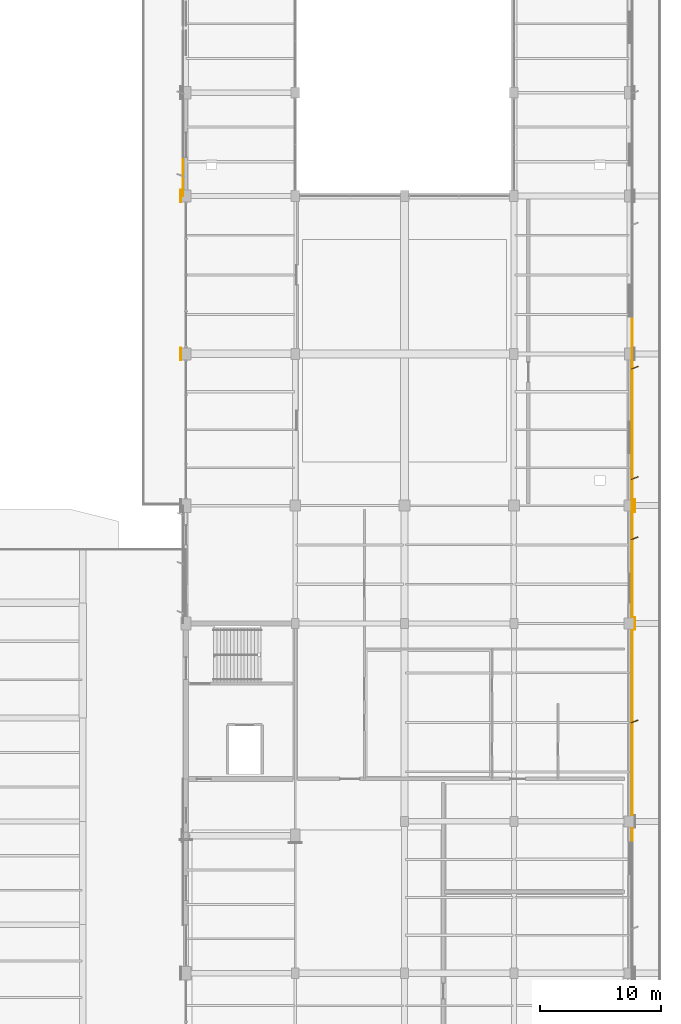
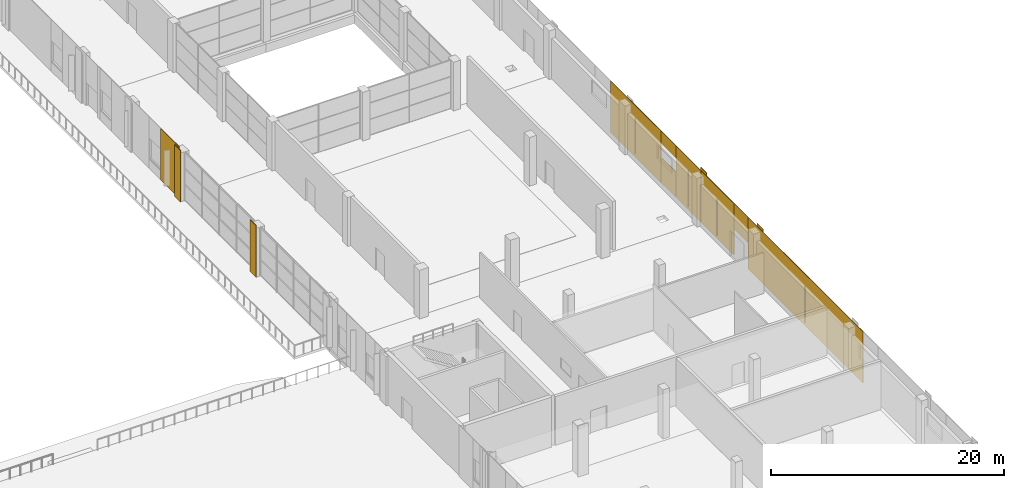
# One storey, part 86 of 90: 16 coverings.
"""IFC4 building model written with IfcOpenShell, lengths in metres."""

from ifc_helpers import new_model, si_unit, direction, frame, origin, origin_2d, place, context, subcontext, project, spatial, rectangle, extrude, material, layer, layer_set, type_object, element, save


model = new_model("IFC4")

# Units and contexts
model_context = context("Model", 3, precision=1e-05, world=origin(), true_north=direction((0.0, 1.0)))
body_context = subcontext(model_context, "Body", "Model", "MODEL_VIEW")
ifc_project = project(units=[si_unit("LENGTHUNIT", "METRE"), si_unit("AREAUNIT", "SQUARE_METRE"), si_unit("VOLUMEUNIT", "CUBIC_METRE"), si_unit("PLANEANGLEUNIT", "RADIAN"), si_unit("MASSUNIT", "GRAM", prefix="KILO")], contexts=[model_context])

# Site, building, storey
site_placement = place(None, origin())
site = spatial("IfcSite", under=ifc_project, at=site_placement, CompositionType="ELEMENT")
building_placement = place(site_placement, origin())
building = spatial("IfcBuilding", under=site, at=building_placement, Name="Solvikara Media Centre", CompositionType="ELEMENT")
storey_placement = place(building_placement, origin())
storey = spatial("IfcBuildingStorey", under=building, at=storey_placement, Name="L00", CompositionType="ELEMENT", Elevation=0.0)

# Coverings
ifc_material = material(Name="GFRC white mineral architectural rainscreen panel")
ifc_layer = layer(ifc_material, 0.050048828125)
ifc_layer_set = layer_set([ifc_layer], Name="GFRC white mineral architectural rainscreen panel")
covering_type = type_object("IfcCoveringType", Name="CV-04", PredefinedType="CLADDING", material=ifc_layer_set)
for number, where, z_axis, x_axis, name in (
    (1, (164.47509765625, 36.800048828125, 0.0), (0.0, 0.0, 1.0), (0.0, 1.0, 0.0), "PIL-L00-232"),
    (2, (164.47509765625, 46.5, 0.0), (0.0, 0.0, 1.0), (0.0, 1.0, 0.0), "PIL-L00-236"),
    (3, (127.074951171875, 59.0, 0.0), (0.0, 0.0, 1.0), (0.0, -1.0, 0.0), "PIL-L00-267"),
    (4, (127.074951171875, 72.0, 0.0), (0.0, 0.0, 1.0), (0.0, -1.0, 0.0), "PIL-L00-269"),
):
    element("IfcCovering", number, at=place(storey_placement, frame(where, z_axis=z_axis, x_axis=x_axis)), inside=storey, type_object=covering_type, Name=name, PredefinedType="CLADDING", context=body_context, shape_type="SweptSolid", body=[
        extrude(rectangle(XDim=1.0400390625, YDim=0.050048828125, at=origin_2d()), origin(), (0.0, 0.0, 1.0), 5.39990234375),
    ])
covering_1_placement = place(storey_placement, frame((164.2451171875, 28.617919921875, 0.0), z_axis=(0.0, 0.0, 1.0), x_axis=(0.0, 1.0, 0.0)))
element("IfcCovering", 5, at=covering_1_placement, inside=storey, type_object=covering_type, Name="L00-V5E-CV-F05", PredefinedType="CLADDING", context=body_context, shape_type="SweptSolid", body=[
    extrude(rectangle(XDim=19.762939453125, YDim=0.050048828125, at=origin_2d()), origin(), (0.0, 0.0, 1.0), 5.39990234375),
])
covering_2_placement = place(storey_placement, frame((164.43505859375, 28.72802734375, 0.35009765625), z_axis=(0.0, 0.0, 1.0), x_axis=(0.930749810713, 0.3656566557, 0.0)))
element("IfcCovering", 6, at=covering_2_placement, inside=storey, type_object=covering_type, Name="L00-V5E-FIN-05", PredefinedType="CLADDING", context=body_context, shape_type="SweptSolid", body=[
    extrude(rectangle(XDim=0.60205078125, YDim=0.050048828125, at=origin_2d()), origin(), (0.0, 0.0, 1.0), 3.800048828125),
])
covering_3_placement = place(storey_placement, frame((164.2451171875, 39.699951171875, 2.75), z_axis=(0.0, 0.0, 1.0), x_axis=(0.0, 1.0, 0.0)))
element("IfcCovering", 7, at=covering_3_placement, inside=storey, type_object=covering_type, Name="L00-V5E-CV-D06", PredefinedType="CLADDING", context=body_context, shape_type="SweptSolid", body=[
    extrude(rectangle(XDim=2.39990234375, YDim=0.050048828125, at=origin_2d()), origin(), (0.0, 0.0, 1.0), 2.64990234375),
])
covering_4_placement = place(storey_placement, frame((164.2451171875, 43.699951171875, 0.0), z_axis=(0.0, 0.0, 1.0), x_axis=(0.0, 1.0, 0.0)))
element("IfcCovering", 8, at=covering_4_placement, inside=storey, type_object=covering_type, Name="L00-V5E-CV-F07", PredefinedType="CLADDING", context=body_context, shape_type="SweptSolid", body=[
    extrude(rectangle(XDim=5.60009765625, YDim=0.050048828125, at=origin_2d()), origin(), (0.0, 0.0, 1.0), 5.39990234375),
])
covering_5_placement = place(storey_placement, frame((164.43505859375, 43.81005859375, 0.35009765625), z_axis=(0.0, 0.0, 1.0), x_axis=(0.930749810713, 0.3656566557, 0.0)))
element("IfcCovering", 9, at=covering_5_placement, inside=storey, type_object=covering_type, Name="L00-V5E-FIN-07", PredefinedType="CLADDING", context=body_context, shape_type="SweptSolid", body=[
    extrude(rectangle(XDim=0.60205078125, YDim=0.050048828125, at=origin_2d()), origin(), (0.0, 0.0, 1.0), 3.800048828125),
])
covering_6_placement = place(storey_placement, frame((164.2451171875, 48.6630859375, 0.0), z_axis=(0.0, 0.0, 1.0), x_axis=(0.0, 1.0, 0.0)))
element("IfcCovering", 10, at=covering_6_placement, inside=storey, type_object=covering_type, Name="L00-V2E-CV-F01", PredefinedType="CLADDING", context=body_context, shape_type="SweptSolid", body=[
    extrude(rectangle(XDim=4.324951171875, YDim=0.050048828125, at=origin_2d()), origin(), (0.0, 0.0, 1.0), 5.39990234375),
])
covering_7_placement = place(storey_placement, frame((164.449951171875, 48.77294921875, 0.35009765625), z_axis=(0.0, 0.0, 1.0), x_axis=(0.930749810713, 0.3656566557, 0.0)))
element("IfcCovering", 11, at=covering_7_placement, inside=storey, type_object=covering_type, Name="L00-V2E-FIN-01", PredefinedType="CLADDING", context=body_context, shape_type="SweptSolid", body=[
    extrude(rectangle(XDim=0.60205078125, YDim=0.050048828125, at=origin_2d()), origin(), (0.0, 0.0, 1.0), 3.739990234375),
])
covering_8_placement = place(storey_placement, frame((164.2451171875, 52.125, 0.0), z_axis=(0.0, 0.0, 1.0), x_axis=(0.0, 1.0, 0.0)))
element("IfcCovering", 12, at=covering_8_placement, inside=storey, type_object=covering_type, Name="L00-V2E-CV-S02", PredefinedType="CLADDING", context=body_context, shape_type="SweptSolid", body=[
    extrude(rectangle(XDim=2.60009765625, YDim=0.050048828125, at=origin_2d()), origin(), (0.0, 0.0, 1.0), 2.64990234375),
])
covering_9_placement = place(storey_placement, frame((164.2451171875, 52.125, 4.10986328125), z_axis=(0.0, 0.0, 1.0), x_axis=(0.0, 1.0, 0.0)))
element("IfcCovering", 13, at=covering_9_placement, inside=storey, type_object=covering_type, Name="L00-V2E-CV-H02", PredefinedType="CLADDING", context=body_context, shape_type="SweptSolid", body=[
    extrude(rectangle(XDim=2.60009765625, YDim=0.050048828125, at=origin_2d()), origin(), (0.0, 0.0, 1.0), 1.2900390625),
])
covering_10_placement = place(storey_placement, frame((164.2451171875, 57.75, 0.0), z_axis=(0.0, 0.0, 1.0), x_axis=(0.0, 1.0, 0.0)))
element("IfcCovering", 14, at=covering_10_placement, inside=storey, type_object=covering_type, Name="L00-V2E-CV-F03", PredefinedType="CLADDING", context=body_context, shape_type="SweptSolid", body=[
    extrude(rectangle(XDim=8.64990234375, YDim=0.050048828125, at=origin_2d()), origin(), (0.0, 0.0, 1.0), 5.39990234375),
])
covering_11_placement = place(storey_placement, frame((164.449951171875, 57.860107421875, 0.35009765625), z_axis=(0.0, 0.0, 1.0), x_axis=(0.930749810713, 0.3656566557, 0.0)))
element("IfcCovering", 15, at=covering_11_placement, inside=storey, type_object=covering_type, Name="L00-V2E-FIN-03", PredefinedType="CLADDING", context=body_context, shape_type="SweptSolid", body=[
    extrude(rectangle(XDim=0.60205078125, YDim=0.050048828125, at=origin_2d()), origin(), (0.0, 0.0, 1.0), 3.739990234375),
])
covering_12_placement = place(storey_placement, frame((127.2548828125, 73.60009765625, 0.0), z_axis=(0.0, 0.0, 1.0), x_axis=(0.0, 1.0, 0.0)))
element("IfcCovering", 16, at=covering_12_placement, inside=storey, type_object=covering_type, Name="L00-V2W-CV-F01", PredefinedType="CLADDING", context=body_context, shape_type="SweptSolid", body=[
    extrude(rectangle(XDim=3.199951171875, YDim=0.050048828125, at=origin_2d()), origin(), (0.0, 0.0, 1.0), 5.39990234375),
])

save(model, "model.ifc")
